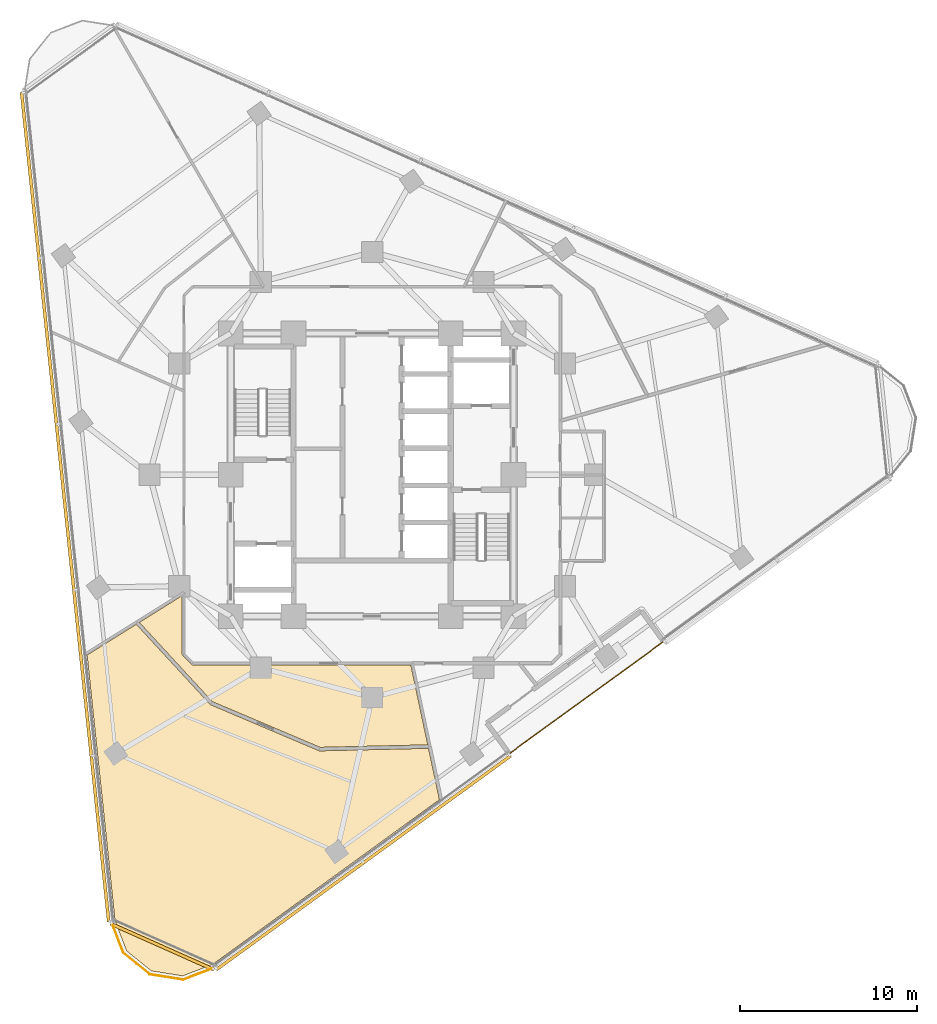
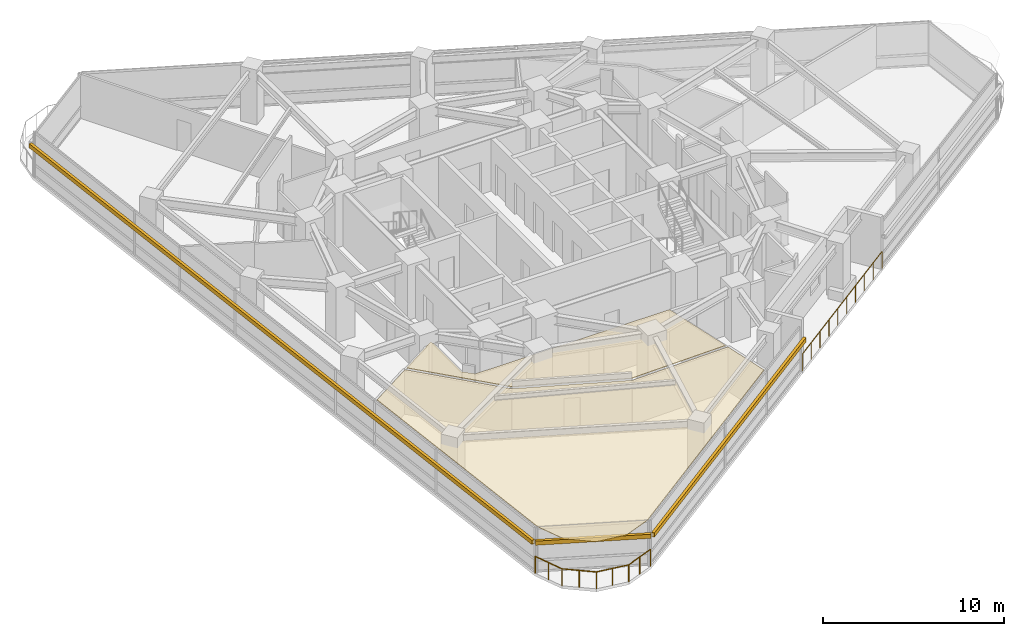
# One storey, part 12 of 14: 3 shading devices, 2 coverings, 2 railings.
"""IFC4 building model written with IfcOpenShell, lengths in metres."""

from ifc_helpers import new_model, si_unit, direction, frame, origin, origin_2d, place, context, subcontext, project, spatial, polyline, rectangle, circle, outline, extrude, material, layer, layer_set, type_object, element, save


model = new_model("IFC4")

# Units and contexts
model_context = context("Model", 3, precision=1e-05, world=origin(), true_north=direction((0.0, 1.0)))
body_context = subcontext(model_context, "Body", "Model", "MODEL_VIEW")
ifc_project = project(units=[si_unit("LENGTHUNIT", "METRE"), si_unit("AREAUNIT", "SQUARE_METRE"), si_unit("VOLUMEUNIT", "CUBIC_METRE"), si_unit("PLANEANGLEUNIT", "RADIAN"), si_unit("MASSUNIT", "GRAM", prefix="KILO")], contexts=[model_context])

# Site, building, storey
site_placement = place(None, origin())
site = spatial("IfcSite", under=ifc_project, at=site_placement, CompositionType="ELEMENT")
building_placement = place(site_placement, origin())
building = spatial("IfcBuilding", under=site, at=building_placement, Name="Terralouvre Media Tower", CompositionType="ELEMENT")
storey_placement = place(building_placement, frame((0.0, 0.0, 158.300048828125)))
storey = spatial("IfcBuildingStorey", under=building, at=storey_placement, Name="L40", CompositionType="ELEMENT", Elevation=158.300048828125)

# Coverings
ifc_material_1 = material(Name="Perforated aluminium acoustic ceiling baffle", Category="aluminium")
ifc_layer_1 = layer(ifc_material_1, 0.0400390625, Name="Perforated Acoustic Metal Tile Ceiling CL-AC1")
ifc_layer_set_1 = layer_set([ifc_layer_1], Name="Perforated aluminium acoustic ceiling baffle")
covering_type = type_object("IfcCoveringType", Name="Perforated Acoustic Metal Tile Ceiling CL-AC1", PredefinedType="CEILING", material=ifc_layer_set_1)
covering_1_placement = place(storey_placement, frame((0.0, 0.0, 2.97998046875), z_axis=(0.0, 0.0, 1.0), x_axis=(0.809016994375, 0.587785252292, 0.0)))
element("IfcCovering", 1, at=covering_1_placement, inside=storey, type_object=covering_type, Name="L40 Director Master Control Room 2 Acoustic Ceiling", PredefinedType="CEILING", context=body_context, shape_type="SweptSolid", body=[
    extrude(outline(polyline([(-7.72509765625, -17.10546875), (-6.517333984375, -14.39306640625), (-11.5810546875, -10.890869140625), (-11.58935546875, -10.88427734375), (-11.596923828125, -10.876953125), (-11.603759765625, -10.868896484375), (-11.60986328125, -10.860107421875), (-15.03955078125, -5.15185546875), (-15.044677734375, -5.142578125), (-15.048583984375, -5.1328125), (-15.051513671875, -5.12255859375), (-15.05322265625, -5.112060546875), (-15.768798828125, 1.00244140625), (-19.040771484375, 1.231201171875), (-26.59912109375, -11.860107421875), (-27.072509765625, -13.62548828125), (-26.60693359375, -15.362060546875), (-25.3359375, -16.632568359375), (-23.571044921875, -17.10546875), (-7.72509765625, -17.10546875)])), origin(), (0.0, 0.0, 1.0), 0.0400390625),
])
covering_2_placement = place(storey_placement, frame((0.0, 0.0, 2.97998046875), z_axis=(0.0, 0.0, 1.0), x_axis=(0.809016994375, 0.587785252292, 0.0)))
element("IfcCovering", 2, at=covering_2_placement, inside=storey, type_object=covering_type, Name="L40 Broadcast Floor Crew Room 3 Acoustic Ceiling", PredefinedType="CEILING", context=body_context, shape_type="SweptSolid", body=[
    extrude(outline(polyline([(-14.857177734375, -5.0673828125), (-11.449462890625, -10.738525390625), (-6.4345703125, -14.20703125), (-4.552490234375, -9.97998046875), (-14.5302734375, -2.73095703125), (-14.537841796875, -2.724853515625), (-14.544921875, -2.718017578125), (-14.55126953125, -2.71044921875), (-14.556640625, -2.7021484375), (-14.561279296875, -2.693603515625), (-14.565185546875, -2.6845703125), (-14.568115234375, -2.67529296875), (-14.570068359375, -2.665771484375), (-14.680908203125, -1.96728515625), (-14.681884765625, -1.95751953125), (-14.681884765625, -1.94775390625), (-14.68115234375, -1.93798828125), (-14.67919921875, -1.92822265625), (-14.676513671875, -1.918701171875), (-14.6728515625, -1.90966796875), (-14.668212890625, -1.901123046875), (-14.662841796875, -1.892822265625), (-12.714599609375, 0.788818359375), (-15.565673828125, 0.988037109375), (-14.857177734375, -5.0673828125)])), origin(), (0.0, 0.0, 1.0), 0.0400390625),
])

# Railings
ifc_material_2 = material(Name="Stainless steel 316 handrail and balustrade", Category="steel")
ifc_layer_2 = layer(ifc_material_2, 0.06005859375, Name="Roof Edge Safety Guardrail GR-ROOF1")
ifc_layer_set_2 = layer_set([ifc_layer_2], Name="Stainless steel 316 handrail and balustrade")
railing_type = type_object("IfcRailingType", Name="Roof Edge Safety Guardrail GR-ROOF1", PredefinedType="GUARDRAIL", material=ifc_layer_set_2)
railing_1_placement = place(storey_placement, frame((7.756591796875, -15.780029296875, 0.0)))
element("IfcRailing", 3, at=railing_1_placement, inside=storey, type_object=railing_type, Name="L40 SG Outer Edge Glass Balustrade", PredefinedType="GUARDRAIL", context=body_context, shape_type="SweptSolid", body=[
    extrude(circle(Radius=0.02392578125, at=origin_2d()), frame((0.0, 0.0, 1.1259765625), z_axis=(0.80901166244, 0.587792591002, 0.0), x_axis=(-0.587792591002, 0.80901166244, 0.0)), (0.0, 0.0, 1.0), 10.800048828125),
    extrude(circle(Radius=0.02099609375, at=origin_2d()), origin(), (0.0, 0.0, 1.0), 1.101806640625),
    extrude(circle(Radius=0.02099609375, at=origin_2d()), frame((0.970703125, 0.705322265625, 0.0)), (0.0, 0.0, 1.0), 1.101806640625),
    extrude(circle(Radius=0.02099609375, at=origin_2d()), frame((1.941650390625, 1.41064453125, 0.0)), (0.0, 0.0, 1.0), 1.101806640625),
    extrude(circle(Radius=0.02099609375, at=origin_2d()), frame((2.912353515625, 2.115966796875, 0.0)), (0.0, 0.0, 1.0), 1.101806640625),
    extrude(circle(Radius=0.02099609375, at=origin_2d()), frame((3.88330078125, 2.8212890625, 0.0)), (0.0, 0.0, 1.0), 1.101806640625),
    extrude(circle(Radius=0.02099609375, at=origin_2d()), frame((4.85400390625, 3.52685546875, 0.0)), (0.0, 0.0, 1.0), 1.101806640625),
    extrude(circle(Radius=0.02099609375, at=origin_2d()), frame((5.824951171875, 4.232177734375, 0.0)), (0.0, 0.0, 1.0), 1.101806640625),
    extrude(circle(Radius=0.02099609375, at=origin_2d()), frame((6.795654296875, 4.9375, 0.0)), (0.0, 0.0, 1.0), 1.101806640625),
    extrude(circle(Radius=0.02099609375, at=origin_2d()), frame((7.7666015625, 5.642822265625, 0.0)), (0.0, 0.0, 1.0), 1.101806640625),
    extrude(circle(Radius=0.02099609375, at=origin_2d()), frame((8.7373046875, 6.34814453125, 0.0)), (0.0, 0.0, 1.0), 1.101806640625),
])
railing_2_placement = place(storey_placement, frame((-14.756103515625, -25.268798828125, 0.0)))
element("IfcRailing", 4, at=railing_2_placement, inside=storey, type_object=railing_type, Name="L40 Wind-Corner Perimeter Safety Guardrail C0", PredefinedType="GUARDRAIL", context=body_context, shape_type="SweptSolid", body=[
    extrude(circle(Radius=0.02099609375, at=origin_2d()), frame((0.0, 0.0, 1.12890625), z_axis=(0.358184292829, -0.933650904981, 0.0), x_axis=(0.933650904981, 0.358184292829, 0.0)), (0.0, 0.0, 1.0), 1.91455078125),
    extrude(circle(Radius=0.02099609375, at=origin_2d()), frame((0.685791015625, -1.78759765625, 1.12890625), z_axis=(0.777022086472, -0.62947333314, 0.0), x_axis=(0.62947333314, 0.777022086472, 0.0)), (0.0, 0.0, 1.0), 1.914306640625),
    extrude(circle(Radius=0.02099609375, at=origin_2d()), frame((2.17333984375, -2.99267578125, 1.12890625), z_axis=(0.987721569441, -0.156224521958, 0.0), x_axis=(0.156224521958, 0.987721569441, 0.0)), (0.0, 0.0, 1.0), 1.914306640625),
    extrude(circle(Radius=0.02099609375, at=origin_2d()), frame((4.064208984375, -3.291748046875, 1.12890625), z_axis=(0.933506543973, 0.358560360832, 0.0), x_axis=(-0.358560360832, 0.933506543973, 0.0)), (0.0, 0.0, 1.0), 1.91455078125),
    extrude(circle(Radius=0.01904296875, at=origin_2d()), origin(), (0.0, 0.0, 1.0), 1.10791015625),
    extrude(circle(Radius=0.01904296875, at=origin_2d()), frame((0.3427734375, -0.893798828125, 0.0)), (0.0, 0.0, 1.0), 1.10791015625),
    extrude(circle(Radius=0.01904296875, at=origin_2d()), frame((0.685791015625, -1.78759765625, 0.0)), (0.0, 0.0, 1.0), 1.10791015625),
    extrude(circle(Radius=0.01904296875, at=origin_2d()), frame((1.4296875, -2.39013671875, 0.0)), (0.0, 0.0, 1.0), 1.10791015625),
    extrude(circle(Radius=0.01904296875, at=origin_2d()), frame((2.17333984375, -2.99267578125, 0.0)), (0.0, 0.0, 1.0), 1.10791015625),
    extrude(circle(Radius=0.01904296875, at=origin_2d()), frame((3.11865234375, -3.14208984375, 0.0)), (0.0, 0.0, 1.0), 1.10791015625),
    extrude(circle(Radius=0.01904296875, at=origin_2d()), frame((4.064208984375, -3.291748046875, 0.0)), (0.0, 0.0, 1.0), 1.10791015625),
    extrude(circle(Radius=0.01904296875, at=origin_2d()), frame((4.9580078125, -2.948486328125, 0.0)), (0.0, 0.0, 1.0), 1.10791015625),
    extrude(circle(Radius=0.01904296875, at=origin_2d()), frame((5.8515625, -2.605224609375, 0.0)), (0.0, 0.0, 1.0), 1.10791015625),
])

# Shading devices
ifc_material_3 = material(Name="Extruded terracotta baguette sunshade louvres", Category="masonry")
shading_device_type = type_object("IfcShadingDeviceType", Name="Terracotta Baguette Sunshade Louvre Screen TB-LV1", PredefinedType="USERDEFINED", material=ifc_material_3)
shading_device_1_placement = place(storey_placement, frame((-0.493896484375, -21.947509765625, 2.02392578125), z_axis=(0.0, 0.0, 1.0), x_axis=(0.809017136018, 0.587785057337, 0.0)))
element("IfcShadingDevice", 5, at=shading_device_1_placement, inside=storey, type_object=shading_device_type, Name="CW-L40-F0L Terracotta Baguette Sunshade Louvre", ObjectType="BAGUETTE", PredefinedType="USERDEFINED", context=body_context, shape_type="SweptSolid", body=[
    extrude(rectangle(XDim=20.60009765625, YDim=0.179931640625, at=origin_2d()), origin(), (0.0, 0.0, 1.0), 0.280029296875),
])
shading_device_2_placement = place(storey_placement, frame((-17.369873046875, -1.82568359375, 2.02392578125), z_axis=(0.0, 0.0, 1.0), x_axis=(0.104528376236, -0.994521904516, 0.0)))
element("IfcShadingDevice", 6, at=shading_device_2_placement, inside=storey, type_object=shading_device_type, Name="CW-L40-F2 Terracotta Baguette Sunshade Louvre", ObjectType="BAGUETTE", PredefinedType="USERDEFINED", context=body_context, shape_type="SweptSolid", body=[
    extrude(rectangle(XDim=47.199951171875, YDim=0.179931640625, at=origin_2d()), origin(), (0.0, 0.0, 1.0), 0.280029296875),
])
shading_device_3_placement = place(storey_placement, frame((-11.88525390625, -26.694580078125, 2.02392578125), z_axis=(0.0, 0.0, 1.0), x_axis=(0.913545408199, -0.406736754128, 0.0)))
element("IfcShadingDevice", 7, at=shading_device_3_placement, inside=storey, type_object=shading_device_type, Name="CW-L40-C0 Terracotta Baguette Sunshade Louvre", ObjectType="BAGUETTE", PredefinedType="USERDEFINED", context=body_context, shape_type="SweptSolid", body=[
    extrude(rectangle(XDim=6.40869140625, YDim=0.179931640625, at=origin_2d()), origin(), (0.0, 0.0, 1.0), 0.280029296875),
])

save(model, "model.ifc")
